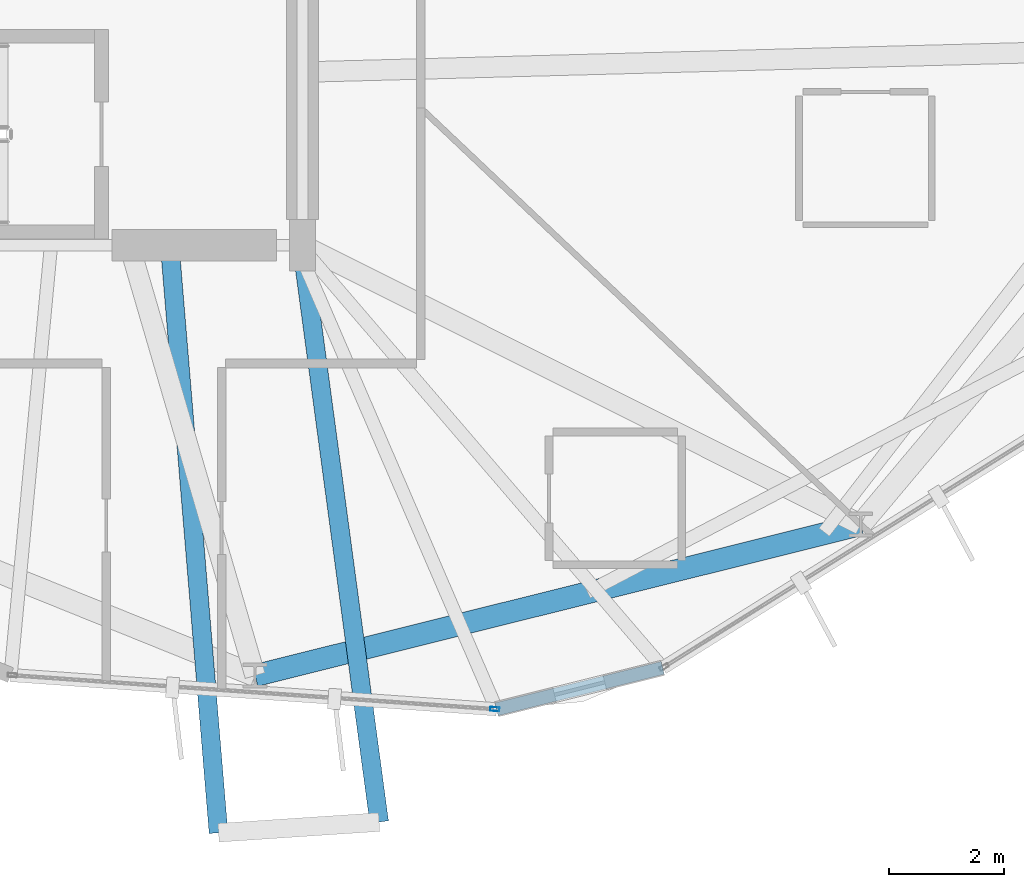
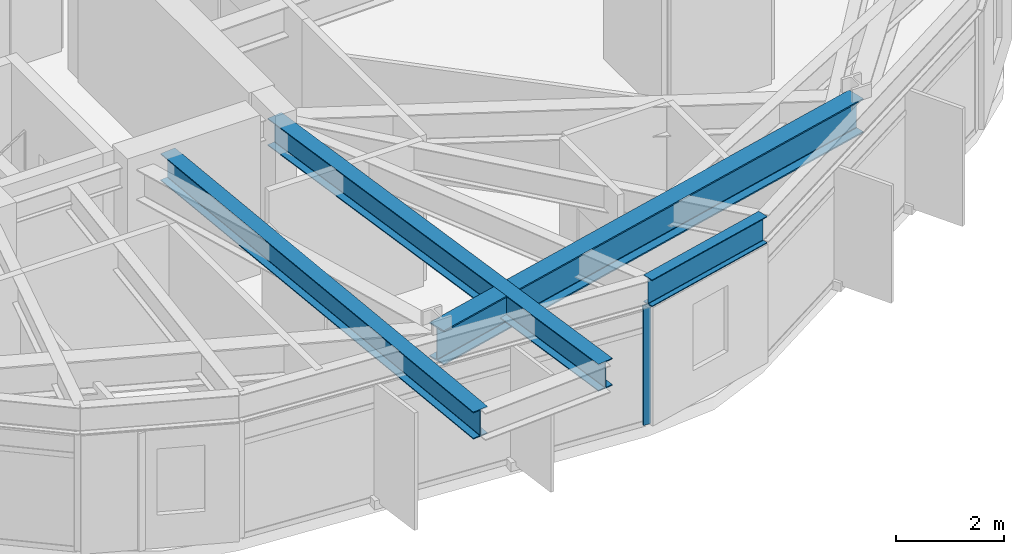
# One storey, part 4 of 22: 4 beams, 1 member, 1 element without a shape of its own.
"""IFC4 building model written with IfcOpenShell, lengths in metres."""

from ifc_helpers import new_model, si_unit, direction, frame, origin, origin_2d, place, context, subcontext, project, spatial, hollow_rectangle, i_section, extrude, material, layer, layer_set, material_profile, profile_set, type_object, element, aggregate, save


model = new_model("IFC4")

# Units and contexts
model_context = context("Model", 3, precision=1e-05, world=origin(), true_north=direction((0.0, 1.0)))
body_context = subcontext(model_context, "Body", "Model", "MODEL_VIEW")
ifc_project = project(units=[si_unit("LENGTHUNIT", "METRE"), si_unit("AREAUNIT", "SQUARE_METRE"), si_unit("VOLUMEUNIT", "CUBIC_METRE"), si_unit("PLANEANGLEUNIT", "RADIAN"), si_unit("MASSUNIT", "GRAM", prefix="KILO")], contexts=[model_context])

# Site, building, storey
site_placement = place(None, origin())
site = spatial("IfcSite", under=ifc_project, at=site_placement, CompositionType="ELEMENT")
building_placement = place(site_placement, origin())
building = spatial("IfcBuilding", under=site, at=building_placement, Name="Soratama Intermodal Tower", CompositionType="ELEMENT")
storey_placement = place(building_placement, frame((0.0, 0.0, 157.0)))
storey = spatial("IfcBuildingStorey", under=building, at=storey_placement, Name="L38", CompositionType="ELEMENT", Elevation=157.0)

# Beams
ifc_material_1 = material(Name="Structural steel ASTM A992 Grade 50", Category="steel")
ifc_material_profile_1 = material_profile(ifc_material_1, i_section(OverallWidth=0.324951171875, OverallDepth=0.615966796875, WebThickness=0.013916015625, FlangeThickness=0.021484375, FilletRadius=0.013916015625, at=origin_2d()), Name="W24X117")
ifc_profile_set_1 = profile_set([ifc_material_profile_1], Name="Structural steel ASTM A992 Grade 50")
beam_type_1 = type_object("IfcBeamType", Name="BM-CANT-W24X117", PredefinedType="BEAM", material=ifc_profile_set_1)
beam_1_placement = place(storey_placement, frame((42.302978515625, 14.9599609375, 2.991943359375), z_axis=(0.082757540612, -0.996569711296, 0.0), x_axis=(0.996569711296, 0.082757540612, 0.0)))
element("IfcBeam", 1, at=beam_1_placement, inside=storey, type_object=beam_type_1, Name="BM-L38-CANT-3-1", PredefinedType="BEAM", context=body_context, shape_type="SweptSolid", body=[
    extrude(i_section(OverallWidth=0.324951171875, OverallDepth=0.615966796875, WebThickness=0.013916015625, FlangeThickness=0.021484375, FilletRadius=0.013916015625, at=origin_2d()), origin(), (0.0, 0.0, 1.0), 10.1748046875),
])
beam_2_placement = place(storey_placement, frame((44.590087890625, 14.9599609375, 2.991943359375), z_axis=(0.133290810808, -0.991076969642, 0.0), x_axis=(0.991076969642, 0.133290810808, 0.0)))
element("IfcBeam", 2, at=beam_2_placement, inside=storey, type_object=beam_type_1, Name="BM-L38-CANT-3-2", PredefinedType="BEAM", context=body_context, shape_type="SweptSolid", body=[
    extrude(i_section(OverallWidth=0.324951171875, OverallDepth=0.615966796875, WebThickness=0.013916015625, FlangeThickness=0.021484375, FilletRadius=0.013916015625, at=origin_2d()), origin(), (0.0, 0.0, 1.0), 10.044677734375),
])
ifc_material_2 = material(Name="Structural steel ASTM A992 Grade 50", Category="steel")
ifc_material_profile_2 = material_profile(ifc_material_2, i_section(OverallWidth=0.382080078125, OverallDepth=0.779052734375, WebThickness=0.01806640625, FlangeThickness=0.030029296875, FilletRadius=0.01806640625, at=origin_2d()), Name="W30X191")
ifc_profile_set_2 = profile_set([ifc_material_profile_2], Name="Structural steel ASTM A992 Grade 50")
beam_type_2 = type_object("IfcBeamType", Name="BM-RING-W30X191", PredefinedType="BEAM", material=ifc_profile_set_2)
beam_3_placement = place(storey_placement, frame((43.779052734375, 7.54296875, 2.910400390625), z_axis=(0.970310893227, 0.241861056155, 0.0), x_axis=(-0.241861056155, 0.970310893227, 0.0)))
element("IfcBeam", 3, at=beam_3_placement, inside=storey, type_object=beam_type_2, Name="BM-L38-RING-08", PredefinedType="BEAM", context=body_context, shape_type="SweptSolid", body=[
    extrude(i_section(OverallWidth=0.382080078125, OverallDepth=0.779052734375, WebThickness=0.01806640625, FlangeThickness=0.030029296875, FilletRadius=0.01806640625, at=origin_2d()), origin(), (0.0, 0.0, 1.0), 10.81591796875),
])
ifc_material_3 = material(Name="Structural steel ASTM A992 Grade 50", Category="steel")
ifc_material_profile_3 = material_profile(ifc_material_3, i_section(OverallWidth=0.22900390625, OverallDepth=0.612060546875, WebThickness=0.011962890625, FlangeThickness=0.01953125, FilletRadius=0.012939453125, at=origin_2d()), Name="W24X84")
ifc_profile_set_3 = profile_set([ifc_material_profile_3], Name="Structural steel ASTM A992 Grade 50")
beam_type_3 = type_object("IfcBeamType", Name="BM-SPN-W24X84", PredefinedType="SPANDREL", material=ifc_profile_set_3)
beam_4_placement = place(storey_placement, frame((47.962890625, 6.958984375, 2.993896484375), z_axis=(0.9703599161, 0.241664298617, 0.0), x_axis=(-0.241664298617, 0.9703599161, 0.0)))
element("IfcBeam", 4, at=beam_4_placement, inside=storey, type_object=beam_type_3, Name="BS-L38-CRN07", PredefinedType="SPANDREL", context=body_context, shape_type="SweptSolid", body=[
    extrude(i_section(OverallWidth=0.22900390625, OverallDepth=0.612060546875, WebThickness=0.011962890625, FlangeThickness=0.01953125, FilletRadius=0.012939453125, at=origin_2d()), origin(), (0.0, 0.0, 1.0), 2.967041015625),
])

# Curtain wall, member
ifc_material_4 = material(Name="Double-glazed aluminium curtain wall", Category="aluminium")
ifc_layer = layer(ifc_material_4, 0.159912109375)
ifc_layer_set = layer_set([ifc_layer], Name="Double-glazed aluminium curtain wall")
curtain_wall_type = type_object("IfcCurtainWallType", Name="CW-SYS-4", PredefinedType="NOTDEFINED", material=ifc_layer_set)
curtain_wall_placement = place(storey_placement, origin())
curtain_wall = element("IfcCurtainWall", 5, at=curtain_wall_placement, inside=storey, type_object=curtain_wall_type, Name="L38 Faceted Curtain Wall F07", PredefinedType="NOTDEFINED")
ifc_material_5 = material(Name="Anodised aluminium AA 6063-T6", Category="aluminium")
ifc_material_profile_4 = material_profile(ifc_material_5, hollow_rectangle(XDim=0.070068359375, YDim=0.159912109375, WallThickness=0.0048828125, InnerFilletRadius=0.0048828125, OuterFilletRadius=0.010009765625, at=origin_2d()), Name="CWM160X70X5")
ifc_profile_set_4 = profile_set([ifc_material_profile_4], Name="Anodised aluminium AA 6063-T6")
member_type = type_object("IfcMemberType", Name="MT-CWM-4", PredefinedType="MULLION", material=ifc_profile_set_4)
member_placement = place(storey_placement, frame((47.932861328125, 6.96142578125, 0.0), z_axis=(0.0, 0.0, 1.0), x_axis=(0.070114558507, 0.997538945949, 0.0)))
member = element("IfcMember", 6, at=member_placement, type_object=member_type, Name="CW-4 mullion 2", PredefinedType="MULLION", context=body_context, shape_type="SweptSolid", body=[
    extrude(hollow_rectangle(XDim=0.070068359375, YDim=0.159912109375, WallThickness=0.0048828125, InnerFilletRadius=0.0048828125, OuterFilletRadius=0.010009765625, at=origin_2d()), origin(), (0.0, 0.0, 1.0), 2.678955078125),
])
aggregate(curtain_wall, [member])

save(model, "model.ifc")
